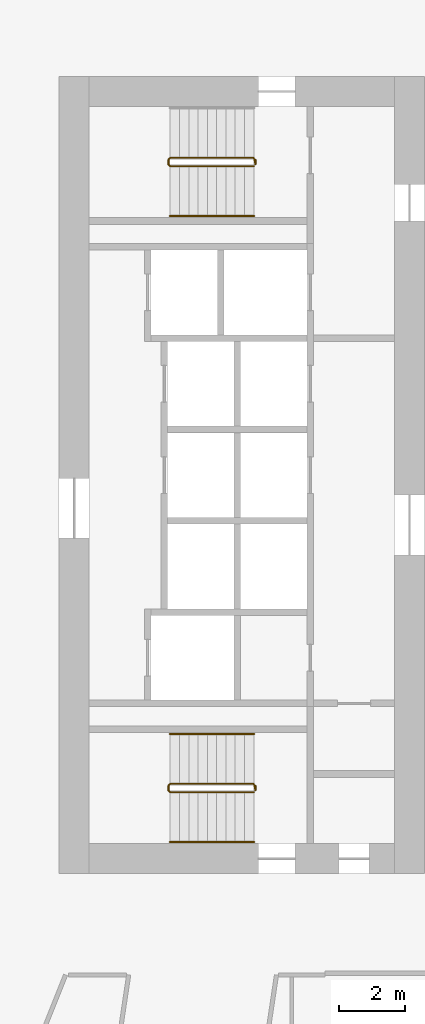
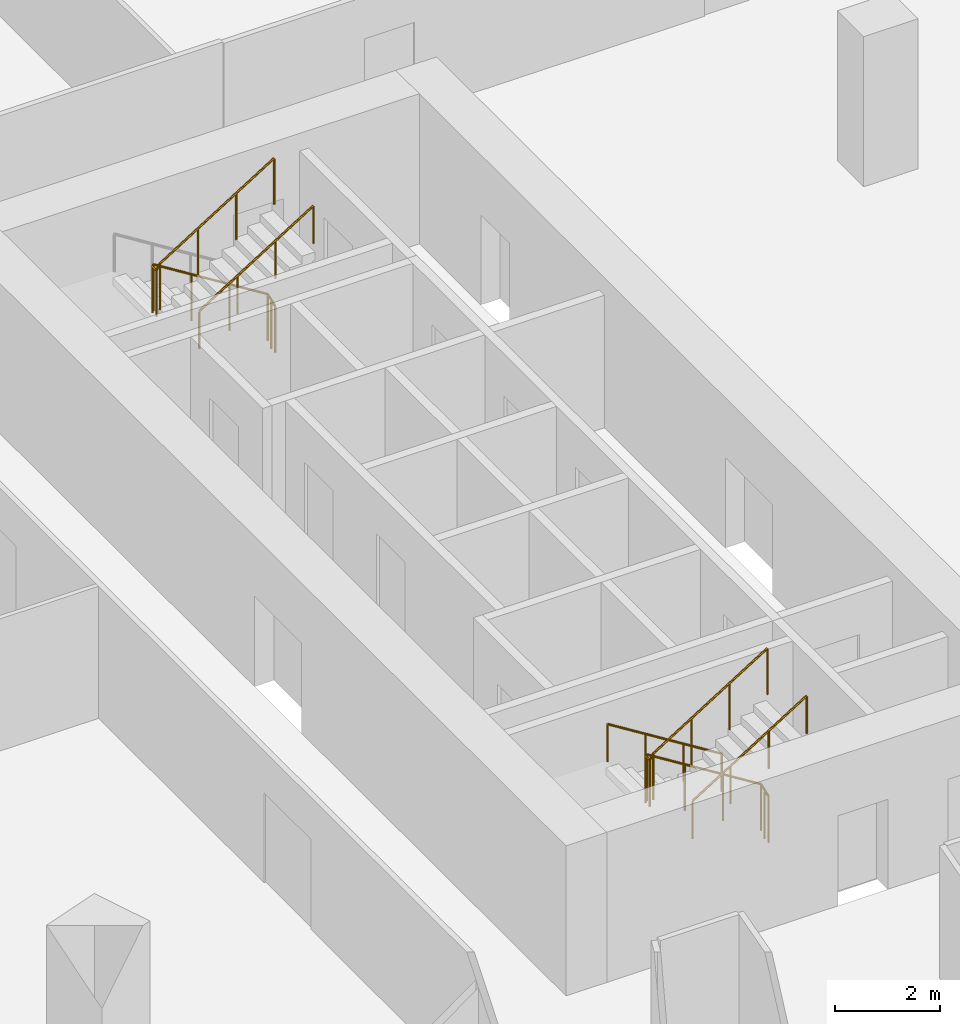
# One storey, part 34 of 38: 5 railings.
"""IFC4 building model written with IfcOpenShell, lengths in metres."""

from ifc_helpers import new_model, si_unit, direction, frame, origin, origin_2d, place, context, subcontext, project, spatial, circle, extrude, material, type_object, element, save


model = new_model("IFC4")

# Units and contexts
model_context = context("Model", 3, precision=1e-05, world=origin(), true_north=direction((0.0, 1.0)))
body_context = subcontext(model_context, "Body", "Model", "MODEL_VIEW")
ifc_project = project(units=[si_unit("LENGTHUNIT", "METRE"), si_unit("AREAUNIT", "SQUARE_METRE"), si_unit("VOLUMEUNIT", "CUBIC_METRE"), si_unit("PLANEANGLEUNIT", "RADIAN"), si_unit("MASSUNIT", "GRAM", prefix="KILO")], contexts=[model_context])

# Site, building, storey
site_placement = place(None, origin())
site = spatial("IfcSite", under=ifc_project, at=site_placement, CompositionType="ELEMENT")
building_placement = place(site_placement, origin())
building = spatial("IfcBuilding", under=site, at=building_placement, Name="Orlundy Tower", CompositionType="ELEMENT")
storey_placement = place(building_placement, frame((0.0, 0.0, 62.300048828125)))
storey = spatial("IfcBuildingStorey", under=building, at=storey_placement, Name="L14", CompositionType="ELEMENT", Elevation=62.300048828125)

# Railings
ifc_material_1 = material(Name="Steel balustrade", Category="steel")
railing_type_1 = type_object("IfcRailingType", Name="Stair Guard 1100", PredefinedType="GUARDRAIL", material=ifc_material_1)
railing_1_placement = place(storey_placement, frame((-13.090087890625, 9.5, 0.0)))
element("IfcRailing", 1, at=railing_1_placement, inside=storey, type_object=railing_type_1, Name="L14 ST-W1 stair guard 1", PredefinedType="GUARDRAIL", context=body_context, shape_type="SweptSolid", body=[
    extrude(circle(Radius=0.02392578125, at=origin_2d()), frame((0.0, 0.0, 1.076171875), z_axis=(0.0, -1.0, 0.0), x_axis=(1.0, 0.0, 0.0)), (0.0, 0.0, 1.0), 0.14990234375),
    extrude(circle(Radius=0.02392578125, at=origin_2d()), frame((0.0, -0.14990234375, 1.076171875), z_axis=(-0.18420542264, 0.739530593833, 0.647427882513), x_axis=(-0.970351222016, -0.241699205484, 0.0)), (0.0, 0.0, 1.0), 0.270263671875),
    extrude(circle(Radius=0.02392578125, at=origin_2d()), frame((-0.0498046875, 0.050048828125, 1.2509765625), z_axis=(-0.848007534815, 0.0, 0.529984170421), x_axis=(0.0, -1.0, 0.0)), (0.0, 0.0, 1.0), 2.9716796875),
    extrude(circle(Radius=0.02392578125, at=origin_2d()), frame((-2.56982421875, 0.050048828125, 2.826171875), z_axis=(-0.707106781187, -0.707106781187, 0.0), x_axis=(0.707106781187, -0.707106781187, 0.0)), (0.0, 0.0, 1.0), 0.07080078125),
    extrude(circle(Radius=0.02392578125, at=origin_2d()), frame((-2.619873046875, 0.0, 2.826171875), z_axis=(0.0, -1.0, 0.0), x_axis=(1.0, 0.0, 0.0)), (0.0, 0.0, 1.0), 0.14990234375),
    extrude(circle(Radius=0.02392578125, at=origin_2d()), frame((-2.619873046875, -0.14990234375, 2.826171875), z_axis=(0.265065253269, -0.265065253269, 0.927081885822), x_axis=(0.707106781187, 0.707106781187, 0.0)), (0.0, 0.0, 1.0), 0.188720703125),
    extrude(circle(Radius=0.02392578125, at=origin_2d()), frame((-2.56982421875, -0.199951171875, 3.0009765625), z_axis=(0.848007534815, 0.0, 0.529984170421), x_axis=(0.0, 1.0, 0.0)), (0.0, 0.0, 1.0), 2.9716796875),
    extrude(circle(Radius=0.02099609375, at=origin_2d()), origin(), (0.0, 0.0, 1.0), 1.052001953125),
    extrude(circle(Radius=0.02099609375, at=origin_2d()), frame((0.0, -0.14990234375, 0.0)), (0.0, 0.0, 1.0), 1.052001953125),
    extrude(circle(Radius=0.02099609375, at=origin_2d()), frame((-0.0498046875, 0.050048828125, 0.175048828125)), (0.0, 0.0, 1.0), 1.052001953125),
    extrude(circle(Radius=0.02099609375, at=origin_2d()), frame((-0.889892578125, 0.050048828125, 0.699951171875)), (0.0, 0.0, 1.0), 1.052001953125),
    extrude(circle(Radius=0.02099609375, at=origin_2d()), frame((-1.729736328125, 0.050048828125, 1.22509765625)), (0.0, 0.0, 1.0), 1.052001953125),
    extrude(circle(Radius=0.02099609375, at=origin_2d()), frame((-2.56982421875, 0.050048828125, 1.75)), (0.0, 0.0, 1.0), 1.052001953125),
    extrude(circle(Radius=0.02099609375, at=origin_2d()), frame((-2.619873046875, 0.0, 1.75)), (0.0, 0.0, 1.0), 1.052001953125),
    extrude(circle(Radius=0.02099609375, at=origin_2d()), frame((-2.619873046875, -0.14990234375, 1.75)), (0.0, 0.0, 1.0), 1.052001953125),
    extrude(circle(Radius=0.02099609375, at=origin_2d()), frame((-2.56982421875, -0.199951171875, 1.925048828125)), (0.0, 0.0, 1.0), 1.052001953125),
    extrude(circle(Radius=0.02099609375, at=origin_2d()), frame((-1.729736328125, -0.199951171875, 2.449951171875)), (0.0, 0.0, 1.0), 1.052001953125),
    extrude(circle(Radius=0.02099609375, at=origin_2d()), frame((-0.889892578125, -0.199951171875, 2.97509765625)), (0.0, 0.0, 1.0), 1.052001953125),
    extrude(circle(Radius=0.02099609375, at=origin_2d()), frame((-0.0498046875, -0.199951171875, 3.5)), (0.0, 0.0, 1.0), 1.052001953125),
])
railing_2_placement = place(storey_placement, frame((-13.090087890625, -9.35009765625, 0.0)))
element("IfcRailing", 2, at=railing_2_placement, inside=storey, type_object=railing_type_1, Name="L14 ST-W2 stair guard 1", PredefinedType="GUARDRAIL", context=body_context, shape_type="SweptSolid", body=[
    extrude(circle(Radius=0.02392578125, at=origin_2d()), frame((0.0, 0.0, 1.076171875), z_axis=(0.0, -1.0, 0.0), x_axis=(1.0, 0.0, 0.0)), (0.0, 0.0, 1.0), 0.14990234375),
    extrude(circle(Radius=0.02392578125, at=origin_2d()), frame((0.0, -0.14990234375, 1.076171875), z_axis=(-0.18420542264, 0.739530593833, 0.647427882513), x_axis=(-0.970351222016, -0.241699205484, 0.0)), (0.0, 0.0, 1.0), 0.270263671875),
    extrude(circle(Radius=0.02392578125, at=origin_2d()), frame((-0.0498046875, 0.050048828125, 1.2509765625), z_axis=(-0.848007534815, 0.0, 0.529984170421), x_axis=(0.0, -1.0, 0.0)), (0.0, 0.0, 1.0), 2.9716796875),
    extrude(circle(Radius=0.02392578125, at=origin_2d()), frame((-2.56982421875, 0.050048828125, 2.826171875), z_axis=(-0.707106781187, -0.707106781187, 0.0), x_axis=(0.707106781187, -0.707106781187, 0.0)), (0.0, 0.0, 1.0), 0.07080078125),
    extrude(circle(Radius=0.02392578125, at=origin_2d()), frame((-2.619873046875, 0.0, 2.826171875), z_axis=(0.0, -1.0, 0.0), x_axis=(1.0, 0.0, 0.0)), (0.0, 0.0, 1.0), 0.14990234375),
    extrude(circle(Radius=0.02392578125, at=origin_2d()), frame((-2.619873046875, -0.14990234375, 2.826171875), z_axis=(0.265065253269, -0.265065253269, 0.927081885822), x_axis=(0.707106781187, 0.707106781187, 0.0)), (0.0, 0.0, 1.0), 0.188720703125),
    extrude(circle(Radius=0.02392578125, at=origin_2d()), frame((-2.56982421875, -0.199951171875, 3.0009765625), z_axis=(0.848007534815, 0.0, 0.529984170421), x_axis=(0.0, 1.0, 0.0)), (0.0, 0.0, 1.0), 2.9716796875),
    extrude(circle(Radius=0.02099609375, at=origin_2d()), origin(), (0.0, 0.0, 1.0), 1.052001953125),
    extrude(circle(Radius=0.02099609375, at=origin_2d()), frame((0.0, -0.14990234375, 0.0)), (0.0, 0.0, 1.0), 1.052001953125),
    extrude(circle(Radius=0.02099609375, at=origin_2d()), frame((-0.0498046875, 0.050048828125, 0.175048828125)), (0.0, 0.0, 1.0), 1.052001953125),
    extrude(circle(Radius=0.02099609375, at=origin_2d()), frame((-0.889892578125, 0.050048828125, 0.699951171875)), (0.0, 0.0, 1.0), 1.052001953125),
    extrude(circle(Radius=0.02099609375, at=origin_2d()), frame((-1.729736328125, 0.050048828125, 1.22509765625)), (0.0, 0.0, 1.0), 1.052001953125),
    extrude(circle(Radius=0.02099609375, at=origin_2d()), frame((-2.56982421875, 0.050048828125, 1.75)), (0.0, 0.0, 1.0), 1.052001953125),
    extrude(circle(Radius=0.02099609375, at=origin_2d()), frame((-2.619873046875, 0.0, 1.75)), (0.0, 0.0, 1.0), 1.052001953125),
    extrude(circle(Radius=0.02099609375, at=origin_2d()), frame((-2.619873046875, -0.14990234375, 1.75)), (0.0, 0.0, 1.0), 1.052001953125),
    extrude(circle(Radius=0.02099609375, at=origin_2d()), frame((-2.56982421875, -0.199951171875, 1.925048828125)), (0.0, 0.0, 1.0), 1.052001953125),
    extrude(circle(Radius=0.02099609375, at=origin_2d()), frame((-1.729736328125, -0.199951171875, 2.449951171875)), (0.0, 0.0, 1.0), 1.052001953125),
    extrude(circle(Radius=0.02099609375, at=origin_2d()), frame((-0.889892578125, -0.199951171875, 2.97509765625)), (0.0, 0.0, 1.0), 1.052001953125),
    extrude(circle(Radius=0.02099609375, at=origin_2d()), frame((-0.0498046875, -0.199951171875, 3.5)), (0.0, 0.0, 1.0), 1.052001953125),
])
ifc_material_2 = material(Name="Steel handrail", Category="steel")
railing_type_2 = type_object("IfcRailingType", Name="Stair Handrail 900", PredefinedType="HANDRAIL", material=ifc_material_2)
railing_3_placement = place(storey_placement, frame((-15.659912109375, 7.800048828125, 1.925048828125)))
element("IfcRailing", 3, at=railing_3_placement, inside=storey, type_object=railing_type_2, Name="L14 ST-W1 stair handrail 2", PredefinedType="HANDRAIL", context=body_context, shape_type="SweptSolid", body=[
    extrude(circle(Radius=0.02392578125, at=origin_2d()), frame((0.0, 0.0, 0.8759765625), z_axis=(0.848007534815, 0.0, 0.529984170421), x_axis=(0.0, 1.0, 0.0)), (0.0, 0.0, 1.0), 2.9716796875),
    extrude(circle(Radius=0.02099609375, at=origin_2d()), origin(), (0.0, 0.0, 1.0), 0.851806640625),
    extrude(circle(Radius=0.02099609375, at=origin_2d()), frame((0.840087890625, 0.0, 0.52490234375)), (0.0, 0.0, 1.0), 0.851806640625),
    extrude(circle(Radius=0.02099609375, at=origin_2d()), frame((1.679931640625, 0.0, 1.050048828125)), (0.0, 0.0, 1.0), 0.851806640625),
    extrude(circle(Radius=0.02099609375, at=origin_2d()), frame((2.52001953125, 0.0, 1.574951171875)), (0.0, 0.0, 1.0), 0.851806640625),
])
railing_4_placement = place(storey_placement, frame((-13.139892578125, -7.800048828125, 0.175048828125)))
element("IfcRailing", 4, at=railing_4_placement, inside=storey, type_object=railing_type_2, Name="L14 ST-W2 stair handrail 1", PredefinedType="HANDRAIL", context=body_context, shape_type="SweptSolid", body=[
    extrude(circle(Radius=0.02392578125, at=origin_2d()), frame((0.0, 0.0, 0.8759765625), z_axis=(-0.848007534815, 0.0, 0.529984170421), x_axis=(0.0, -1.0, 0.0)), (0.0, 0.0, 1.0), 2.9716796875),
    extrude(circle(Radius=0.02099609375, at=origin_2d()), origin(), (0.0, 0.0, 1.0), 0.851806640625),
    extrude(circle(Radius=0.02099609375, at=origin_2d()), frame((-0.840087890625, 0.0, 0.52490234375)), (0.0, 0.0, 1.0), 0.851806640625),
    extrude(circle(Radius=0.02099609375, at=origin_2d()), frame((-1.679931640625, 0.0, 1.050048828125)), (0.0, 0.0, 1.0), 0.851806640625),
    extrude(circle(Radius=0.02099609375, at=origin_2d()), frame((-2.52001953125, 0.0, 1.574951171875)), (0.0, 0.0, 1.0), 0.851806640625),
])
railing_5_placement = place(storey_placement, frame((-15.659912109375, -11.050048828125, 1.925048828125)))
element("IfcRailing", 5, at=railing_5_placement, inside=storey, type_object=railing_type_2, Name="L14 ST-W2 stair handrail 2", PredefinedType="HANDRAIL", context=body_context, shape_type="SweptSolid", body=[
    extrude(circle(Radius=0.02392578125, at=origin_2d()), frame((0.0, 0.0, 0.8759765625), z_axis=(0.848007534815, 0.0, 0.529984170421), x_axis=(0.0, 1.0, 0.0)), (0.0, 0.0, 1.0), 2.9716796875),
    extrude(circle(Radius=0.02099609375, at=origin_2d()), origin(), (0.0, 0.0, 1.0), 0.851806640625),
    extrude(circle(Radius=0.02099609375, at=origin_2d()), frame((0.840087890625, 0.0, 0.52490234375)), (0.0, 0.0, 1.0), 0.851806640625),
    extrude(circle(Radius=0.02099609375, at=origin_2d()), frame((1.679931640625, 0.0, 1.050048828125)), (0.0, 0.0, 1.0), 0.851806640625),
    extrude(circle(Radius=0.02099609375, at=origin_2d()), frame((2.52001953125, 0.0, 1.574951171875)), (0.0, 0.0, 1.0), 0.851806640625),
])

save(model, "model.ifc")
